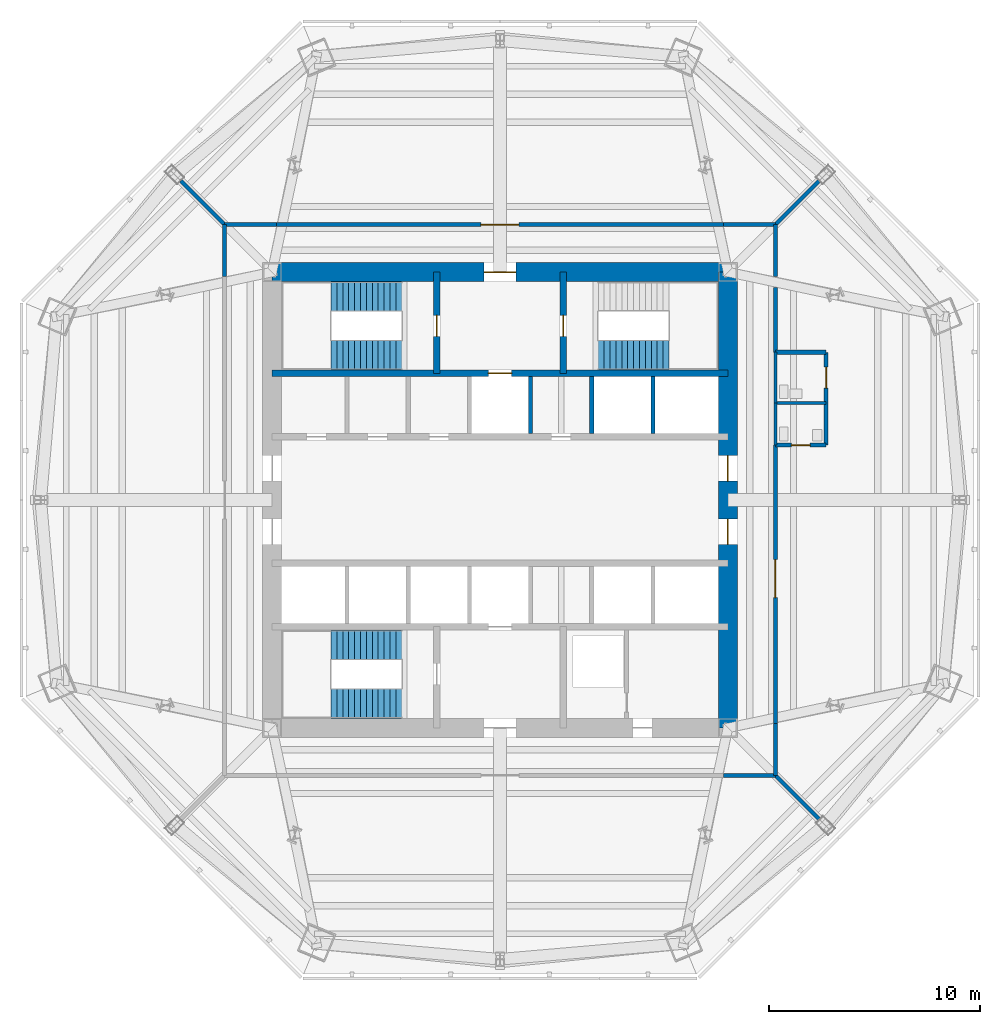
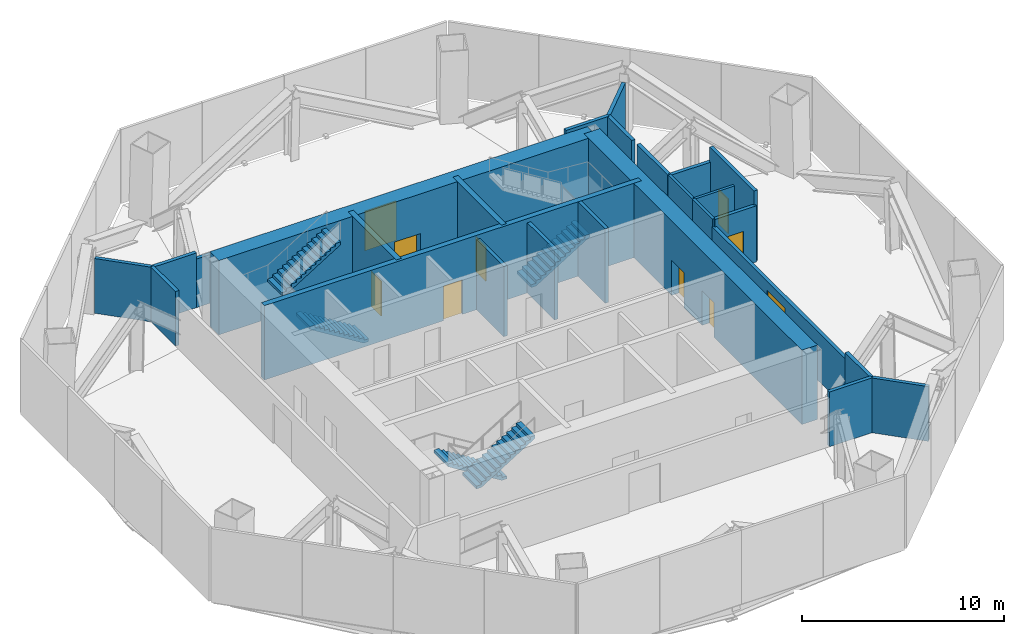
# One storey, part 5 of 9: 26 walls, 10 doors, 5 stair flights, 10 openings, 3 elements without a shape of their own.
"""IFC4 building model written with IfcOpenShell, lengths in metres."""

from ifc_helpers import new_model, si_unit, direction, frame, frame_2d, origin, place, context, subcontext, project, spatial, polyline, rectangle, outline, extrude, material, layer, layer_set, type_object, element, fill, aggregate, save


model = new_model("IFC4")

# Units and contexts
model_context = context("Model", 3, precision=1e-05, world=origin(), true_north=direction((0.0, 1.0)))
body_context = subcontext(model_context, "Body", "Model", "MODEL_VIEW")
ifc_project = project(units=[si_unit("LENGTHUNIT", "METRE"), si_unit("AREAUNIT", "SQUARE_METRE"), si_unit("VOLUMEUNIT", "CUBIC_METRE"), si_unit("PLANEANGLEUNIT", "RADIAN"), si_unit("MASSUNIT", "GRAM", prefix="KILO")], contexts=[model_context])

# Site, building, storey
site_placement = place(None, origin())
site = spatial("IfcSite", under=ifc_project, at=site_placement, CompositionType="ELEMENT")
building_placement = place(site_placement, origin())
building = spatial("IfcBuilding", under=site, at=building_placement, Name="Mashrafa Tower", CompositionType="ELEMENT")
storey_placement = place(building_placement, frame((0.0, 0.0, 189.0)))
storey = spatial("IfcBuildingStorey", under=building, at=storey_placement, Name="L43", CompositionType="ELEMENT", Elevation=189.0)

# Wall
ifc_material_1 = material(Name="Concrete masonry unit", Category="masonry")
ifc_layer_1 = layer(ifc_material_1, 0.199951171875)
ifc_layer_set_1 = layer_set([ifc_layer_1], Name="Blockwork wall 200 2 hr")
wall_type_1 = type_object("IfcWallType", Name="Blockwork wall 200 2 hr", PredefinedType="PARTITIONING", material=ifc_layer_set_1)
wall_1_placement = place(storey_placement, frame((13.050048828125, -13.050048828125, 0.0), z_axis=(0.0, 0.0, 1.0), x_axis=(0.0, 1.0, 0.0)))
element("IfcWall", 1, at=wall_1_placement, inside=storey, type_object=wall_type_1, Name="Blockwork wall L43-003", PredefinedType="PARTITIONING", context=body_context, shape_type="SweptSolid", body=[
    extrude(rectangle(XDim=2.46923828125, YDim=0.199951171875, at=frame_2d((1.234619140625, 0.0))), origin(), (0.0, 0.0, 1.0), 3.31298828125),
])

# Wall, opening, door
wall_2_placement = place(storey_placement, frame((13.050048828125, -10.578857421875, 0.0), z_axis=(0.0, 0.0, 1.0), x_axis=(0.0, 1.0, 0.0)))
wall_2 = element("IfcWall", 2, at=wall_2_placement, inside=storey, type_object=wall_type_1, Name="Blockwork wall L43-004", PredefinedType="PARTITIONING", context=body_context, shape_type="SweptSolid", body=[
    extrude(rectangle(XDim=13.179931640625, YDim=0.199951171875, at=frame_2d((6.58984375, 0.0))), origin(), (0.0, 0.0, 1.0), 2.93994140625),
])
opening_1_placement = place(wall_2_placement, frame((5.94970703125, 0.0, 0.0)))
opening_1 = element("IfcOpeningElement", 3, at=opening_1_placement, cuts=wall_2, Name="Opening 43.003", PredefinedType="OPENING", context=body_context, shape_type="SweptSolid", body=[
    extrude(rectangle(XDim=1.800048828125, YDim=2.39990234375, at=frame_2d((0.89990234375, 1.199951171875))), frame((0.0, 0.10986328125, 0.0), z_axis=(0.0, -1.0, 0.0), x_axis=(1.0, 0.0, 0.0)), (0.0, 0.0, 1.0), 0.219970703125),
])
ifc_material_2 = material(Name="Steel door", Category="steel")
door_type_1 = type_object("IfcDoorType", Name="Door pair 1800 x 2400 90 min", OperationType="DOUBLE_DOOR_SINGLE_SWING", PredefinedType="DOOR", material=ifc_material_2)
door_1_placement = place(opening_1_placement, origin())
door_1 = element("IfcDoor", 4, at=door_1_placement, inside=storey, type_object=door_type_1, Name="Refuge Area L43 East door", OperationType="DOUBLE_DOOR_SINGLE_SWING", OverallHeight=2.39990234375, OverallWidth=1.800048828125, PredefinedType="DOOR", context=body_context, shape_type="SweptSolid", body=[
    extrude(rectangle(XDim=1.800048828125, YDim=2.39990234375, at=frame_2d((0.89990234375, 1.199951171875))), frame((0.0, 0.02490234375, 0.0), z_axis=(0.0, -1.0, 0.0), x_axis=(1.0, 0.0, 0.0)), (0.0, 0.0, 1.0), 0.050048828125),
])
fill(opening_1, door_1)

# Walls
wall_3_placement = place(storey_placement, frame((13.050048828125, 6.9990234375, 0.0), z_axis=(0.0, 0.0, 1.0), x_axis=(0.0, 1.0, 0.0)))
element("IfcWall", 5, at=wall_3_placement, inside=storey, type_object=wall_type_1, Name="Blockwork wall L43-005", PredefinedType="PARTITIONING", context=body_context, shape_type="SweptSolid", body=[
    extrude(rectangle(XDim=3.060302734375, YDim=0.199951171875, at=frame_2d((1.5302734375, 0.0))), origin(), (0.0, 0.0, 1.0), 3.394287109375),
])
for number, where, z_axis, x_axis, name in (
    (6, (13.050048828125, 10.580810546875, 0.0), (0.0, 0.0, 1.0), (0.0, 1.0, 0.0), "Blockwork wall L43-006"),
    (7, (-13.050048828125, 13.050048828125, 0.0), (0.0, 0.0, 1.0), (0.0, -1.0, 0.0), "Blockwork wall L43-007"),
    (8, (13.050048828125, 13.050048828125, 0.0), (0.0, 0.0, 1.0), (-1.0, 0.0, 0.0), "Blockwork wall L43-010"),
):
    element("IfcWall", number, at=place(storey_placement, frame(where, z_axis=z_axis, x_axis=x_axis)), inside=storey, type_object=wall_type_1, Name=name, PredefinedType="PARTITIONING", context=body_context, shape_type="SweptSolid", body=[
        extrude(rectangle(XDim=2.46923828125, YDim=0.199951171875, at=frame_2d((1.234619140625, 0.0))), origin(), (0.0, 0.0, 1.0), 3.31298828125),
    ])

# Wall, opening, door
wall_4_placement = place(storey_placement, frame((10.578857421875, 13.050048828125, 0.0), z_axis=(0.0, 0.0, 1.0), x_axis=(-1.0, 0.0, 0.0)))
wall_4 = element("IfcWall", 9, at=wall_4_placement, inside=storey, type_object=wall_type_1, Name="Blockwork wall L43-011", PredefinedType="PARTITIONING", context=body_context, shape_type="SweptSolid", body=[
    extrude(rectangle(XDim=21.15771484375, YDim=0.199951171875, at=frame_2d((10.578857421875, 0.0))), origin(), (0.0, 0.0, 1.0), 2.93994140625),
])
opening_2_placement = place(wall_4_placement, frame((9.678955078125, 0.0, 0.0)))
opening_2 = element("IfcOpeningElement", 10, at=opening_2_placement, cuts=wall_4, Name="Opening 43.005", PredefinedType="OPENING", context=body_context, shape_type="SweptSolid", body=[
    extrude(rectangle(XDim=1.800048828125, YDim=2.39990234375, at=frame_2d((0.89990234375, 1.199951171875))), frame((0.0, 0.10986328125, 0.0), z_axis=(0.0, -1.0, 0.0), x_axis=(1.0, 0.0, 0.0)), (0.0, 0.0, 1.0), 0.219970703125),
])
door_2_placement = place(opening_2_placement, frame((1.800048828125, 0.0, 0.0), z_axis=(0.0, 0.0, 1.0), x_axis=(-1.0, 0.0, 0.0)))
door_2 = element("IfcDoor", 11, at=door_2_placement, inside=storey, type_object=door_type_1, Name="Mechanical Plant Room L43 door", OperationType="DOUBLE_DOOR_SINGLE_SWING", OverallHeight=2.39990234375, OverallWidth=1.800048828125, PredefinedType="DOOR", context=body_context, shape_type="SweptSolid", body=[
    extrude(rectangle(XDim=1.800048828125, YDim=2.39990234375, at=frame_2d((0.89990234375, 1.199951171875))), frame((0.0, 0.02490234375, 0.0), z_axis=(0.0, -1.0, 0.0), x_axis=(1.0, 0.0, 0.0)), (0.0, 0.0, 1.0), 0.050048828125),
])
fill(opening_2, door_2)

# Walls
for number, where, z_axis, x_axis, name in (
    (12, (-10.580810546875, 13.050048828125, 0.0), (0.0, 0.0, 1.0), (-1.0, 0.0, 0.0), "Blockwork wall L43-012"),
    (13, (10.580810546875, -13.050048828125, 0.0), (0.0, 0.0, 1.0), (1.0, 0.0, 0.0), "Blockwork wall L43-015"),
):
    element("IfcWall", number, at=place(storey_placement, frame(where, z_axis=z_axis, x_axis=x_axis)), inside=storey, type_object=wall_type_1, Name=name, PredefinedType="PARTITIONING", context=body_context, shape_type="SweptSolid", body=[
        extrude(rectangle(XDim=2.46923828125, YDim=0.199951171875, at=frame_2d((1.234619140625, 0.0))), origin(), (0.0, 0.0, 1.0), 3.31298828125),
    ])

# Wall, opening, door
wall_5_placement = place(storey_placement, frame((13.050048828125, 2.60009765625, 0.0), z_axis=(0.0, 0.0, 1.0), x_axis=(1.0, 0.0, 0.0)))
wall_5 = element("IfcWall", 14, at=wall_5_placement, inside=storey, type_object=wall_type_1, Name="Blockwork wall L43-017", PredefinedType="PARTITIONING", context=body_context, shape_type="SweptSolid", body=[
    extrude(rectangle(XDim=2.39990234375, YDim=0.199951171875, at=frame_2d((1.199951171875, 0.0))), origin(), (0.0, 0.0, 1.0), 3.394287109375),
])
opening_3_placement = place(wall_5_placement, frame((0.75, 0.0, 0.0)))
opening_3 = element("IfcOpeningElement", 15, at=opening_3_placement, cuts=wall_5, Name="Opening 43.001", PredefinedType="OPENING", context=body_context, shape_type="SweptSolid", body=[
    extrude(rectangle(XDim=0.89990234375, YDim=2.10009765625, at=frame_2d((0.449951171875, 1.050048828125))), frame((0.0, 0.10986328125, 0.0), z_axis=(0.0, -1.0, 0.0), x_axis=(1.0, 0.0, 0.0)), (0.0, 0.0, 1.0), 0.219970703125),
])
ifc_material_3 = material(Name="Timber door", Category="wood")
door_type_2 = type_object("IfcDoorType", Name="Toilet door 900 x 2100", OperationType="USERDEFINED", PredefinedType="DOOR", material=ifc_material_3)
door_3_placement = place(opening_3_placement, origin())
door_3 = element("IfcDoor", 16, at=door_3_placement, inside=storey, type_object=door_type_2, Name="Refuge WC L43 door", OperationType="SINGLE_SWING_RIGHT", OverallHeight=2.10009765625, OverallWidth=0.89990234375, PredefinedType="DOOR", context=body_context, shape_type="SweptSolid", body=[
    extrude(rectangle(XDim=0.89990234375, YDim=2.10009765625, at=frame_2d((0.449951171875, 1.050048828125))), frame((0.0, 0.02490234375, 0.0), z_axis=(0.0, -1.0, 0.0), x_axis=(1.0, 0.0, 0.0)), (0.0, 0.0, 1.0), 0.050048828125),
])
fill(opening_3, door_3)

wall_6_placement = place(storey_placement, frame((15.449951171875, 2.60009765625, 0.0), z_axis=(0.0, 0.0, 1.0), x_axis=(0.0, 1.0, 0.0)))
wall_6 = element("IfcWall", 17, at=wall_6_placement, inside=storey, type_object=wall_type_1, Name="Blockwork wall L43-018", PredefinedType="PARTITIONING", context=body_context, shape_type="SweptSolid", body=[
    extrude(rectangle(XDim=4.39990234375, YDim=0.199951171875, at=frame_2d((2.199951171875, 0.0))), origin(), (0.0, 0.0, 1.0), 4.25),
])
opening_4_placement = place(wall_6_placement, frame((2.699951171875, 0.0, 0.0)))
opening_4 = element("IfcOpeningElement", 18, at=opening_4_placement, cuts=wall_6, Name="Opening 43.002", PredefinedType="OPENING", context=body_context, shape_type="SweptSolid", body=[
    extrude(rectangle(XDim=1.0, YDim=2.10009765625, at=frame_2d((0.5, 1.050048828125))), frame((0.0, 0.10986328125, 0.0), z_axis=(0.0, -1.0, 0.0), x_axis=(1.0, 0.0, 0.0)), (0.0, 0.0, 1.0), 0.219970703125),
])
ifc_material_4 = material(Name="Timber door", Category="wood")
door_type_3 = type_object("IfcDoorType", Name="Accessible toilet door 1000 x 2100", OperationType="USERDEFINED", PredefinedType="DOOR", material=ifc_material_4)
door_4_placement = place(opening_4_placement, origin())
door_4 = element("IfcDoor", 19, at=door_4_placement, inside=storey, type_object=door_type_3, Name="Refuge Accessible WC L43 door", OperationType="SINGLE_SWING_LEFT", OverallHeight=2.10009765625, OverallWidth=1.0, PredefinedType="DOOR", context=body_context, shape_type="SweptSolid", body=[
    extrude(rectangle(XDim=1.0, YDim=2.10009765625, at=frame_2d((0.5, 1.050048828125))), frame((0.0, 0.02490234375, 0.0), z_axis=(0.0, -1.0, 0.0), x_axis=(1.0, 0.0, 0.0)), (0.0, 0.0, 1.0), 0.050048828125),
])
fill(opening_4, door_4)

# Walls
wall_7_placement = place(storey_placement, frame((15.449951171875, 7.0, 0.0), z_axis=(0.0, 0.0, 1.0), x_axis=(-1.0, 0.0, 0.0)))
element("IfcWall", 20, at=wall_7_placement, inside=storey, type_object=wall_type_1, Name="Blockwork wall L43-020", PredefinedType="PARTITIONING", context=body_context, shape_type="SweptSolid", body=[
    extrude(rectangle(XDim=2.39990234375, YDim=0.199951171875, at=frame_2d((1.199951171875, 0.0))), origin(), (0.0, 0.0, 1.0), 3.394287109375),
])
for number, where, z_axis, x_axis, name in (
    (21, (15.126220703125, 15.126220703125, 0.0), (0.0, 0.0, 1.0), (-0.707106781187, -0.707106781187, 0.0), "Blockwork wall L43-021"),
    (22, (13.050048828125, -13.050048828125, 0.0), (0.0, 0.0, 1.0), (0.707106781187, -0.707106781187, 0.0), "Blockwork wall L43-022"),
    (23, (-13.050048828125, 13.050048828125, 0.0), (0.0, 0.0, 1.0), (-0.707106781187, 0.707106781187, 0.0), "Blockwork wall L43-023"),
):
    element("IfcWall", number, at=place(storey_placement, frame(where, z_axis=z_axis, x_axis=x_axis)), inside=storey, type_object=wall_type_1, Name=name, PredefinedType="PARTITIONING", context=body_context, shape_type="SweptSolid", body=[
        extrude(rectangle(XDim=2.93603515625, YDim=0.199951171875, at=frame_2d((1.468017578125, 0.0))), origin(), (0.0, 0.0, 1.0), 3.31298828125),
    ])

# Wall, opening, door
ifc_material_5 = material(Name="Concrete C60/75", Category="concrete")
ifc_layer_2 = layer(ifc_material_5, 0.300048828125)
ifc_layer_set_2 = layer_set([ifc_layer_2], Name="Core wall 300 C60/75")
wall_type_2 = type_object("IfcWallType", Name="Core wall 300 C60/75", PredefinedType="SOLIDWALL", material=ifc_layer_set_2)
wall_8_placement = place(storey_placement, frame((-10.800048828125, 6.0, 0.0), z_axis=(0.0, 0.0, 1.0), x_axis=(1.0, 0.0, 0.0)))
wall_8 = element("IfcWall", 24, at=wall_8_placement, inside=storey, type_object=wall_type_2, Name="Core wall CB-N L43", PredefinedType="SOLIDWALL", context=body_context, shape_type="SweptSolid", body=[
    extrude(rectangle(XDim=21.60009765625, YDim=0.300048828125, at=frame_2d((10.800048828125, 0.0))), origin(), (0.0, 0.0, 1.0), 4.5),
])
opening_5_placement = place(wall_8_placement, frame((10.25, 0.0, 0.0)))
opening_5 = element("IfcOpeningElement", 25, at=opening_5_placement, cuts=wall_8, Name="Opening 43.F1", PredefinedType="OPENING", context=body_context, shape_type="SweptSolid", body=[
    extrude(rectangle(XDim=1.10009765625, YDim=2.10009765625, at=frame_2d((0.550048828125, 1.050048828125))), frame((0.0, 0.159912109375, 0.0), z_axis=(0.0, -1.0, 0.0), x_axis=(1.0, 0.0, 0.0)), (0.0, 0.0, 1.0), 0.320068359375),
])
ifc_material_6 = material(Name="Steel door", Category="steel")
door_type_4 = type_object("IfcDoorType", Name="Lift landing door 1100 x 2100 90 min", OperationType="DOUBLE_DOOR_SLIDING", PredefinedType="DOOR", material=ifc_material_6)
door_5_placement = place(opening_5_placement, origin())
door_5 = element("IfcDoor", 26, at=door_5_placement, inside=storey, type_object=door_type_4, Name="Lift landing door F1 L43", OperationType="DOUBLE_DOOR_SLIDING", OverallHeight=2.10009765625, OverallWidth=1.10009765625, PredefinedType="DOOR", context=body_context, shape_type="SweptSolid", body=[
    extrude(rectangle(XDim=1.10009765625, YDim=2.10009765625, at=frame_2d((0.550048828125, 1.050048828125))), frame((0.0, 0.02490234375, 0.0), z_axis=(0.0, -1.0, 0.0), x_axis=(1.0, 0.0, 0.0)), (0.0, 0.0, 1.0), 0.050048828125),
])
fill(opening_5, door_5)

wall_9_placement = place(storey_placement, frame((-3.0, 6.0, 0.0), z_axis=(0.0, 0.0, 1.0), x_axis=(0.0, 1.0, 0.0)))
wall_9 = element("IfcWall", 27, at=wall_9_placement, inside=storey, type_object=wall_type_2, Name="Core wall CX-NW L43", PredefinedType="SOLIDWALL", context=body_context, shape_type="SweptSolid", body=[
    extrude(rectangle(XDim=4.800048828125, YDim=0.300048828125, at=frame_2d((2.39990234375, 0.0))), origin(), (0.0, 0.0, 1.0), 4.5),
])
opening_6_placement = place(wall_9_placement, frame((1.75, 0.0, 0.0)))
opening_6 = element("IfcOpeningElement", 28, at=opening_6_placement, cuts=wall_9, Name="Opening 43.013", PredefinedType="OPENING", context=body_context, shape_type="SweptSolid", body=[
    extrude(rectangle(XDim=1.0, YDim=2.10009765625, at=frame_2d((0.5, 1.050048828125))), frame((0.0, 0.159912109375, 0.0), z_axis=(0.0, -1.0, 0.0), x_axis=(1.0, 0.0, 0.0)), (0.0, 0.0, 1.0), 0.320068359375),
])
ifc_material_7 = material(Name="Steel door", Category="steel")
door_type_5 = type_object("IfcDoorType", Name="Stair door 1000 x 2100 90 min", OperationType="USERDEFINED", PredefinedType="DOOR", material=ifc_material_7)
door_6_placement = place(opening_6_placement, origin())
door_6 = element("IfcDoor", 29, at=door_6_placement, inside=storey, type_object=door_type_5, Name="Stair S1 door L43", OperationType="SINGLE_SWING_LEFT", OverallHeight=2.10009765625, OverallWidth=1.0, PredefinedType="DOOR", context=body_context, shape_type="SweptSolid", body=[
    extrude(rectangle(XDim=1.0, YDim=2.10009765625, at=frame_2d((0.5, 1.050048828125))), frame((0.0, 0.02490234375, 0.0), z_axis=(0.0, -1.0, 0.0), x_axis=(1.0, 0.0, 0.0)), (0.0, 0.0, 1.0), 0.050048828125),
])
fill(opening_6, door_6)

wall_10_placement = place(storey_placement, frame((3.0, 6.0, 0.0), z_axis=(0.0, 0.0, 1.0), x_axis=(0.0, 1.0, 0.0)))
wall_10 = element("IfcWall", 30, at=wall_10_placement, inside=storey, type_object=wall_type_2, Name="Core wall CX-NE L43", PredefinedType="SOLIDWALL", context=body_context, shape_type="SweptSolid", body=[
    extrude(rectangle(XDim=4.800048828125, YDim=0.300048828125, at=frame_2d((2.39990234375, 0.0))), origin(), (0.0, 0.0, 1.0), 4.5),
])
opening_7_placement = place(wall_10_placement, frame((1.75, 0.0, 0.0)))
opening_7 = element("IfcOpeningElement", 31, at=opening_7_placement, cuts=wall_10, Name="Opening 43.014", PredefinedType="OPENING", context=body_context, shape_type="SweptSolid", body=[
    extrude(rectangle(XDim=1.0, YDim=2.10009765625, at=frame_2d((0.5, 1.050048828125))), frame((0.0, 0.159912109375, 0.0), z_axis=(0.0, -1.0, 0.0), x_axis=(1.0, 0.0, 0.0)), (0.0, 0.0, 1.0), 0.320068359375),
])
door_7_placement = place(opening_7_placement, frame((1.0, 0.0, 0.0), z_axis=(0.0, 0.0, 1.0), x_axis=(-1.0, 0.0, 0.0)))
door_7 = element("IfcDoor", 32, at=door_7_placement, inside=storey, type_object=door_type_5, Name="Stair S2 door L43", OperationType="SINGLE_SWING_RIGHT", OverallHeight=2.10009765625, OverallWidth=1.0, PredefinedType="DOOR", context=body_context, shape_type="SweptSolid", body=[
    extrude(rectangle(XDim=1.0, YDim=2.10009765625, at=frame_2d((0.5, 1.050048828125))), frame((0.0, 0.02490234375, 0.0), z_axis=(0.0, -1.0, 0.0), x_axis=(1.0, 0.0, 0.0)), (0.0, 0.0, 1.0), 0.050048828125),
])
fill(opening_7, door_7)

# Wall, openings, doors
ifc_material_8 = material(Name="Concrete C60/75", Category="concrete")
ifc_layer_3 = layer(ifc_material_8, 0.89990234375)
ifc_layer_set_3 = layer_set([ifc_layer_3], Name="Core wall 900 C60/75")
wall_type_3 = type_object("IfcWallType", Name="Core wall 900 C60/75", PredefinedType="SOLIDWALL", material=ifc_layer_set_3)
wall_11_placement = place(storey_placement, frame((10.800048828125, -10.800048828125, 0.0), z_axis=(0.0, 0.0, 1.0), x_axis=(0.0, 1.0, 0.0)))
wall_11 = element("IfcWall", 33, at=wall_11_placement, inside=storey, type_object=wall_type_3, Name="Core wall CW-E L43", PredefinedType="SOLIDWALL", context=body_context, shape_type="SweptSolid", body=[
    extrude(rectangle(XDim=21.60009765625, YDim=0.89990234375, at=frame_2d((10.800048828125, 0.0))), origin(), (0.0, 0.0, 1.0), 4.5),
])
opening_8_placement = place(wall_11_placement, frame((11.699951171875, 0.0, 0.0)))
opening_8 = element("IfcOpeningElement", 34, at=opening_8_placement, cuts=wall_11, Name="Opening 43.007", PredefinedType="OPENING", context=body_context, shape_type="SweptSolid", body=[
    extrude(rectangle(XDim=1.199951171875, YDim=2.10009765625, at=frame_2d((0.60009765625, 1.050048828125))), frame((0.0, 0.4599609375, 0.0), z_axis=(0.0, -1.0, 0.0), x_axis=(1.0, 0.0, 0.0)), (0.0, 0.0, 1.0), 0.919921875),
])
opening_9_placement = place(wall_11_placement, frame((8.699951171875, 0.0, 0.0)))
opening_9 = element("IfcOpeningElement", 35, at=opening_9_placement, cuts=wall_11, Name="Opening 43.009", PredefinedType="OPENING", context=body_context, shape_type="SweptSolid", body=[
    extrude(rectangle(XDim=1.199951171875, YDim=2.10009765625, at=frame_2d((0.60009765625, 1.050048828125))), frame((0.0, 0.4599609375, 0.0), z_axis=(0.0, -1.0, 0.0), x_axis=(1.0, 0.0, 0.0)), (0.0, 0.0, 1.0), 0.919921875),
])
ifc_material_9 = material(Name="Steel door", Category="steel")
door_type_6 = type_object("IfcDoorType", Name="Lift hall door 1200 x 2100 90 min", OperationType="USERDEFINED", PredefinedType="DOOR", material=ifc_material_9)
door_8_placement = place(opening_8_placement, frame((1.199951171875, 0.0, 0.0), z_axis=(0.0, 0.0, 1.0), x_axis=(-1.0, 0.0, 0.0)))
door_8 = element("IfcDoor", 36, at=door_8_placement, inside=storey, type_object=door_type_6, Name="Lift hall door east L43", OperationType="SINGLE_SWING_LEFT", OverallHeight=2.10009765625, OverallWidth=1.199951171875, PredefinedType="DOOR", context=body_context, shape_type="SweptSolid", body=[
    extrude(rectangle(XDim=1.199951171875, YDim=2.10009765625, at=frame_2d((0.60009765625, 1.050048828125))), frame((0.0, 0.02490234375, 0.0), z_axis=(0.0, -1.0, 0.0), x_axis=(1.0, 0.0, 0.0)), (0.0, 0.0, 1.0), 0.050048828125),
])
fill(opening_8, door_8)
door_9_placement = place(opening_9_placement, frame((1.199951171875, 0.0, 0.0), z_axis=(0.0, 0.0, 1.0), x_axis=(-1.0, 0.0, 0.0)))
door_9 = element("IfcDoor", 37, at=door_9_placement, inside=storey, type_object=door_type_6, Name="Lift hall door east L43", OperationType="SINGLE_SWING_RIGHT", OverallHeight=2.10009765625, OverallWidth=1.199951171875, PredefinedType="DOOR", context=body_context, shape_type="SweptSolid", body=[
    extrude(rectangle(XDim=1.199951171875, YDim=2.10009765625, at=frame_2d((0.60009765625, 1.050048828125))), frame((0.0, 0.02490234375, 0.0), z_axis=(0.0, -1.0, 0.0), x_axis=(1.0, 0.0, 0.0)), (0.0, 0.0, 1.0), 0.050048828125),
])
fill(opening_9, door_9)

# Wall, opening, door
wall_12_placement = place(storey_placement, frame((10.800048828125, 10.800048828125, 0.0), z_axis=(0.0, 0.0, 1.0), x_axis=(-1.0, 0.0, 0.0)))
wall_12 = element("IfcWall", 38, at=wall_12_placement, inside=storey, type_object=wall_type_3, Name="Core wall CW-N L43", PredefinedType="SOLIDWALL", context=body_context, shape_type="SweptSolid", body=[
    extrude(rectangle(XDim=21.60009765625, YDim=0.89990234375, at=frame_2d((10.800048828125, 0.0))), origin(), (0.0, 0.0, 1.0), 4.5),
])
opening_10_placement = place(wall_12_placement, frame((10.050048828125, 0.0, 0.0)))
opening_10 = element("IfcOpeningElement", 39, at=opening_10_placement, cuts=wall_12, Name="Opening 43.011", PredefinedType="OPENING", context=body_context, shape_type="SweptSolid", body=[
    extrude(rectangle(XDim=1.5, YDim=2.10009765625, at=frame_2d((0.75, 1.050048828125))), frame((0.0, 0.4599609375, 0.0), z_axis=(0.0, -1.0, 0.0), x_axis=(1.0, 0.0, 0.0)), (0.0, 0.0, 1.0), 0.919921875),
])
ifc_material_10 = material(Name="Steel door", Category="steel")
door_type_7 = type_object("IfcDoorType", Name="Lobby door pair 1500 x 2100 90 min", OperationType="DOUBLE_DOOR_SINGLE_SWING", PredefinedType="DOOR", material=ifc_material_10)
door_10_placement = place(opening_10_placement, origin())
door_10 = element("IfcDoor", 40, at=door_10_placement, inside=storey, type_object=door_type_7, Name="Fire-fighting lobby F1 door L43", OperationType="DOUBLE_DOOR_SINGLE_SWING", OverallHeight=2.10009765625, OverallWidth=1.5, PredefinedType="DOOR", context=body_context, shape_type="SweptSolid", body=[
    extrude(rectangle(XDim=1.5, YDim=2.10009765625, at=frame_2d((0.75, 1.050048828125))), frame((0.0, 0.02490234375, 0.0), z_axis=(0.0, -1.0, 0.0), x_axis=(1.0, 0.0, 0.0)), (0.0, 0.0, 1.0), 0.050048828125),
])
fill(opening_10, door_10)

# Walls
ifc_material_11 = material(Name="Gypsum board on steel studs", Category="steel")
ifc_layer_4 = layer(ifc_material_11, 0.14990234375)
ifc_layer_set_4 = layer_set([ifc_layer_4], Name="Corridor partition 150 1 hr")
wall_type_4 = type_object("IfcWallType", Name="Corridor partition 150 1 hr", PredefinedType="PARTITIONING", material=ifc_layer_set_4)
wall_13_placement = place(storey_placement, frame((13.050048828125, 2.59912109375, 0.0), z_axis=(0.0, 0.0, 1.0), x_axis=(0.0, 1.0, 0.0)))
element("IfcWall", 41, at=wall_13_placement, inside=storey, type_object=wall_type_4, Name="Corridor wall L43-001", PredefinedType="PARTITIONING", context=body_context, shape_type="SweptSolid", body=[
    extrude(rectangle(XDim=2.001953125, YDim=0.14990234375, at=frame_2d((1.0009765625, 0.0))), origin(), (0.0, 0.0, 1.0), 3.394287109375),
])
wall_14_placement = place(storey_placement, frame((13.050048828125, 4.59912109375, 0.0), z_axis=(0.0, 0.0, 1.0), x_axis=(0.0, 1.0, 0.0)))
element("IfcWall", 42, at=wall_14_placement, inside=storey, type_object=wall_type_4, Name="Corridor wall L43-002", PredefinedType="PARTITIONING", context=body_context, shape_type="SweptSolid", body=[
    extrude(rectangle(XDim=2.40185546875, YDim=0.14990234375, at=frame_2d((1.200927734375, 0.0))), origin(), (0.0, 0.0, 1.0), 3.394287109375),
])
ifc_material_12 = material(Name="Gypsum board on steel studs", Category="steel")
ifc_layer_5 = layer(ifc_material_12, 0.14990234375)
ifc_layer_set_5 = layer_set([ifc_layer_5], Name="Partition 150")
wall_type_5 = type_object("IfcWallType", Name="Partition 150", PredefinedType="PARTITIONING", material=ifc_layer_set_5)
wall_15_placement = place(storey_placement, frame((15.449951171875, 4.60009765625, 0.0), z_axis=(0.0, 0.0, 1.0), x_axis=(-1.0, 0.0, 0.0)))
element("IfcWall", 43, at=wall_15_placement, inside=storey, type_object=wall_type_5, Name="Partition wall L43-016", PredefinedType="PARTITIONING", context=body_context, shape_type="SweptSolid", body=[
    extrude(rectangle(XDim=2.39990234375, YDim=0.14990234375, at=frame_2d((1.199951171875, 0.0))), origin(), (0.0, 0.0, 1.0), 3.394287109375),
])
ifc_material_13 = material(Name="Gypsum shaft wall on steel studs", Category="steel")
ifc_layer_6 = layer(ifc_material_13, 0.199951171875)
ifc_layer_set_6 = layer_set([ifc_layer_6], Name="Shaft divider wall 200 2 hr")
wall_type_6 = type_object("IfcWallType", Name="Shaft divider wall 200 2 hr", PredefinedType="PARTITIONING", material=ifc_layer_set_6)
for number, where, z_axis, x_axis, name in (
    (44, (1.449951171875, 3.14990234375, 0.0), (0.0, 0.0, 1.0), (0.0, 1.0, 0.0), "Shaft divider wall N4 L43"),
    (45, (4.35009765625, 3.14990234375, 0.0), (0.0, 0.0, 1.0), (0.0, 1.0, 0.0), "Shaft divider wall N5 L43"),
):
    element("IfcWall", number, at=place(storey_placement, frame(where, z_axis=z_axis, x_axis=x_axis)), inside=storey, type_object=wall_type_6, Name=name, PredefinedType="PARTITIONING", context=body_context, shape_type="SweptSolid", body=[
        extrude(rectangle(XDim=2.7001953125, YDim=0.199951171875, at=frame_2d((1.35009765625, 0.0))), origin(), (0.0, 0.0, 1.0), 4.25),
    ])
wall_16_placement = place(storey_placement, frame((7.25, 3.14990234375, 0.0), z_axis=(0.0, 0.0, 1.0), x_axis=(0.0, 1.0, 0.0)))
element("IfcWall", 46, at=wall_16_placement, inside=storey, type_object=wall_type_6, Name="Shaft divider wall N6 L43", PredefinedType="PARTITIONING", context=body_context, shape_type="SweptSolid", body=[
    extrude(rectangle(XDim=2.7001953125, YDim=0.199951171875, at=frame_2d((1.35009765625, 0.0))), origin(), (0.0, 0.0, 1.0), 4.5),
])

# Stair, stair flights
ifc_material_14 = material(Name="Exit stair 1400")
stair_type = type_object("IfcStairType", Name="Exit stair 1400", PredefinedType="HALF_TURN_STAIR", material=ifc_material_14)
stair_1_placement = place(storey_placement, origin())
stair_1 = element("IfcStair", 47, at=stair_1_placement, inside=storey, type_object=stair_type, Name="Stair S1 L43", PredefinedType="HALF_TURN_STAIR")
ifc_material_15 = material(Name="Concrete C32/40", Category="concrete")
stair_flight_type = type_object("IfcStairFlightType", Name="Stair flight 1400", PredefinedType="STRAIGHT", material=ifc_material_15)
stair_flight_1_placement = place(storey_placement, frame((-4.64990234375, 6.85009765625, 0.0), z_axis=(0.0, 0.0, 1.0), x_axis=(-1.0, 0.0, 0.0)))
stair_flight_1 = element("IfcStairFlight", 48, at=stair_flight_1_placement, type_object=stair_flight_type, Name="S1 flight 1", NumberOfRisers=13, NumberOfTreads=12, PredefinedType="STRAIGHT", RiserHeight=0.173076923, TreadLength=0.28, context=body_context, shape_type="SweptSolid", body=[
    extrude(outline(polyline([(0.0, 0.0), (0.0, 0.173095703125), (0.280029296875, 0.173095703125), (0.280029296875, 0.34619140625), (0.56005859375, 0.34619140625), (0.56005859375, 0.519287109375), (0.840087890625, 0.519287109375), (0.840087890625, 0.6923828125), (1.1201171875, 0.6923828125), (1.1201171875, 0.865478515625), (1.39990234375, 0.865478515625), (1.39990234375, 1.03857421875), (1.679931640625, 1.03857421875), (1.679931640625, 1.21142578125), (1.9599609375, 1.21142578125), (1.9599609375, 1.384521484375), (2.239990234375, 1.384521484375), (2.239990234375, 1.5576171875), (2.52001953125, 1.5576171875), (2.52001953125, 1.730712890625), (2.800048828125, 1.730712890625), (2.800048828125, 1.90380859375), (3.080078125, 1.90380859375), (3.080078125, 2.076904296875), (3.360107421875, 2.076904296875), (3.360107421875, 2.25), (3.360107421875, 1.900634765625), (0.28515625, 0.0), (0.0, 0.0)])), frame((0.0, 0.699951171875, 0.0), z_axis=(0.0, -1.0, 0.0), x_axis=(1.0, 0.0, 0.0)), (0.0, 0.0, 1.0), 1.39990234375),
])
stair_flight_2_placement = place(storey_placement, frame((-8.010009765625, 9.64990234375, 2.25), z_axis=(0.0, 0.0, 1.0), x_axis=(1.0, 0.0, 0.0)))
stair_flight_2 = element("IfcStairFlight", 49, at=stair_flight_2_placement, type_object=stair_flight_type, Name="S1 flight 2", NumberOfRisers=13, NumberOfTreads=12, PredefinedType="STRAIGHT", RiserHeight=0.173076923, TreadLength=0.28, context=body_context, shape_type="SweptSolid", body=[
    extrude(outline(polyline([(0.0, 0.0), (0.0, 0.173095703125), (0.280029296875, 0.173095703125), (0.280029296875, 0.34619140625), (0.56005859375, 0.34619140625), (0.56005859375, 0.519287109375), (0.840087890625, 0.519287109375), (0.840087890625, 0.6923828125), (1.1201171875, 0.6923828125), (1.1201171875, 0.865478515625), (1.39990234375, 0.865478515625), (1.39990234375, 1.03857421875), (1.679931640625, 1.03857421875), (1.679931640625, 1.21142578125), (1.9599609375, 1.21142578125), (1.9599609375, 1.384521484375), (2.239990234375, 1.384521484375), (2.239990234375, 1.5576171875), (2.52001953125, 1.5576171875), (2.52001953125, 1.730712890625), (2.800048828125, 1.730712890625), (2.800048828125, 1.90380859375), (3.080078125, 1.90380859375), (3.080078125, 2.076904296875), (3.360107421875, 2.076904296875), (3.360107421875, 2.25), (3.360107421875, 1.900634765625), (0.28515625, 0.0), (0.0, 0.0)])), frame((0.0, 0.699951171875, 0.0), z_axis=(0.0, -1.0, 0.0), x_axis=(1.0, 0.0, 0.0)), (0.0, 0.0, 1.0), 1.39990234375),
])
aggregate(stair_1, [stair_flight_1, stair_flight_2])

# Stair, stair flight
stair_2_placement = place(storey_placement, origin())
stair_2 = element("IfcStair", 50, at=stair_2_placement, inside=storey, type_object=stair_type, Name="Stair S2 L43", PredefinedType="HALF_TURN_STAIR")
stair_flight_3_placement = place(storey_placement, frame((4.64990234375, 6.85009765625, 0.0), z_axis=(0.0, 0.0, 1.0), x_axis=(1.0, 0.0, 0.0)))
stair_flight_3 = element("IfcStairFlight", 51, at=stair_flight_3_placement, type_object=stair_flight_type, Name="S2 flight 1", NumberOfRisers=13, NumberOfTreads=12, PredefinedType="STRAIGHT", RiserHeight=0.173076923, TreadLength=0.28, context=body_context, shape_type="SweptSolid", body=[
    extrude(outline(polyline([(0.0, 0.0), (0.0, 0.173095703125), (0.280029296875, 0.173095703125), (0.280029296875, 0.34619140625), (0.56005859375, 0.34619140625), (0.56005859375, 0.519287109375), (0.840087890625, 0.519287109375), (0.840087890625, 0.6923828125), (1.1201171875, 0.6923828125), (1.1201171875, 0.865478515625), (1.39990234375, 0.865478515625), (1.39990234375, 1.03857421875), (1.679931640625, 1.03857421875), (1.679931640625, 1.21142578125), (1.9599609375, 1.21142578125), (1.9599609375, 1.384521484375), (2.239990234375, 1.384521484375), (2.239990234375, 1.5576171875), (2.52001953125, 1.5576171875), (2.52001953125, 1.730712890625), (2.800048828125, 1.730712890625), (2.800048828125, 1.90380859375), (3.080078125, 1.90380859375), (3.080078125, 2.076904296875), (3.360107421875, 2.076904296875), (3.360107421875, 2.25), (3.360107421875, 1.900634765625), (0.28515625, 0.0), (0.0, 0.0)])), frame((0.0, 0.699951171875, 0.0), z_axis=(0.0, -1.0, 0.0), x_axis=(1.0, 0.0, 0.0)), (0.0, 0.0, 1.0), 1.39990234375),
])
aggregate(stair_2, [stair_flight_3])

# Stair, stair flights
stair_3_placement = place(storey_placement, origin())
stair_3 = element("IfcStair", 52, at=stair_3_placement, inside=storey, type_object=stair_type, Name="Stair S3 L43", PredefinedType="HALF_TURN_STAIR")
stair_flight_4_placement = place(storey_placement, frame((-4.64990234375, -6.85009765625, 0.0), z_axis=(0.0, 0.0, 1.0), x_axis=(-1.0, 0.0, 0.0)))
stair_flight_4 = element("IfcStairFlight", 53, at=stair_flight_4_placement, type_object=stair_flight_type, Name="S3 flight 1", NumberOfRisers=13, NumberOfTreads=12, PredefinedType="STRAIGHT", RiserHeight=0.173076923, TreadLength=0.28, context=body_context, shape_type="SweptSolid", body=[
    extrude(outline(polyline([(0.0, 0.0), (0.0, 0.173095703125), (0.280029296875, 0.173095703125), (0.280029296875, 0.34619140625), (0.56005859375, 0.34619140625), (0.56005859375, 0.519287109375), (0.840087890625, 0.519287109375), (0.840087890625, 0.6923828125), (1.1201171875, 0.6923828125), (1.1201171875, 0.865478515625), (1.39990234375, 0.865478515625), (1.39990234375, 1.03857421875), (1.679931640625, 1.03857421875), (1.679931640625, 1.21142578125), (1.9599609375, 1.21142578125), (1.9599609375, 1.384521484375), (2.239990234375, 1.384521484375), (2.239990234375, 1.5576171875), (2.52001953125, 1.5576171875), (2.52001953125, 1.730712890625), (2.800048828125, 1.730712890625), (2.800048828125, 1.90380859375), (3.080078125, 1.90380859375), (3.080078125, 2.076904296875), (3.360107421875, 2.076904296875), (3.360107421875, 2.25), (3.360107421875, 1.900634765625), (0.28515625, 0.0), (0.0, 0.0)])), frame((0.0, 0.699951171875, 0.0), z_axis=(0.0, -1.0, 0.0), x_axis=(1.0, 0.0, 0.0)), (0.0, 0.0, 1.0), 1.39990234375),
])
stair_flight_5_placement = place(storey_placement, frame((-8.010009765625, -9.64990234375, 2.25), z_axis=(0.0, 0.0, 1.0), x_axis=(1.0, 0.0, 0.0)))
stair_flight_5 = element("IfcStairFlight", 54, at=stair_flight_5_placement, type_object=stair_flight_type, Name="S3 flight 2", NumberOfRisers=13, NumberOfTreads=12, PredefinedType="STRAIGHT", RiserHeight=0.173076923, TreadLength=0.28, context=body_context, shape_type="SweptSolid", body=[
    extrude(outline(polyline([(0.0, 0.0), (0.0, 0.173095703125), (0.280029296875, 0.173095703125), (0.280029296875, 0.34619140625), (0.56005859375, 0.34619140625), (0.56005859375, 0.519287109375), (0.840087890625, 0.519287109375), (0.840087890625, 0.6923828125), (1.1201171875, 0.6923828125), (1.1201171875, 0.865478515625), (1.39990234375, 0.865478515625), (1.39990234375, 1.03857421875), (1.679931640625, 1.03857421875), (1.679931640625, 1.21142578125), (1.9599609375, 1.21142578125), (1.9599609375, 1.384521484375), (2.239990234375, 1.384521484375), (2.239990234375, 1.5576171875), (2.52001953125, 1.5576171875), (2.52001953125, 1.730712890625), (2.800048828125, 1.730712890625), (2.800048828125, 1.90380859375), (3.080078125, 1.90380859375), (3.080078125, 2.076904296875), (3.360107421875, 2.076904296875), (3.360107421875, 2.25), (3.360107421875, 1.900634765625), (0.28515625, 0.0), (0.0, 0.0)])), frame((0.0, 0.699951171875, 0.0), z_axis=(0.0, -1.0, 0.0), x_axis=(1.0, 0.0, 0.0)), (0.0, 0.0, 1.0), 1.39990234375),
])
aggregate(stair_3, [stair_flight_4, stair_flight_5])

save(model, "model.ifc")
